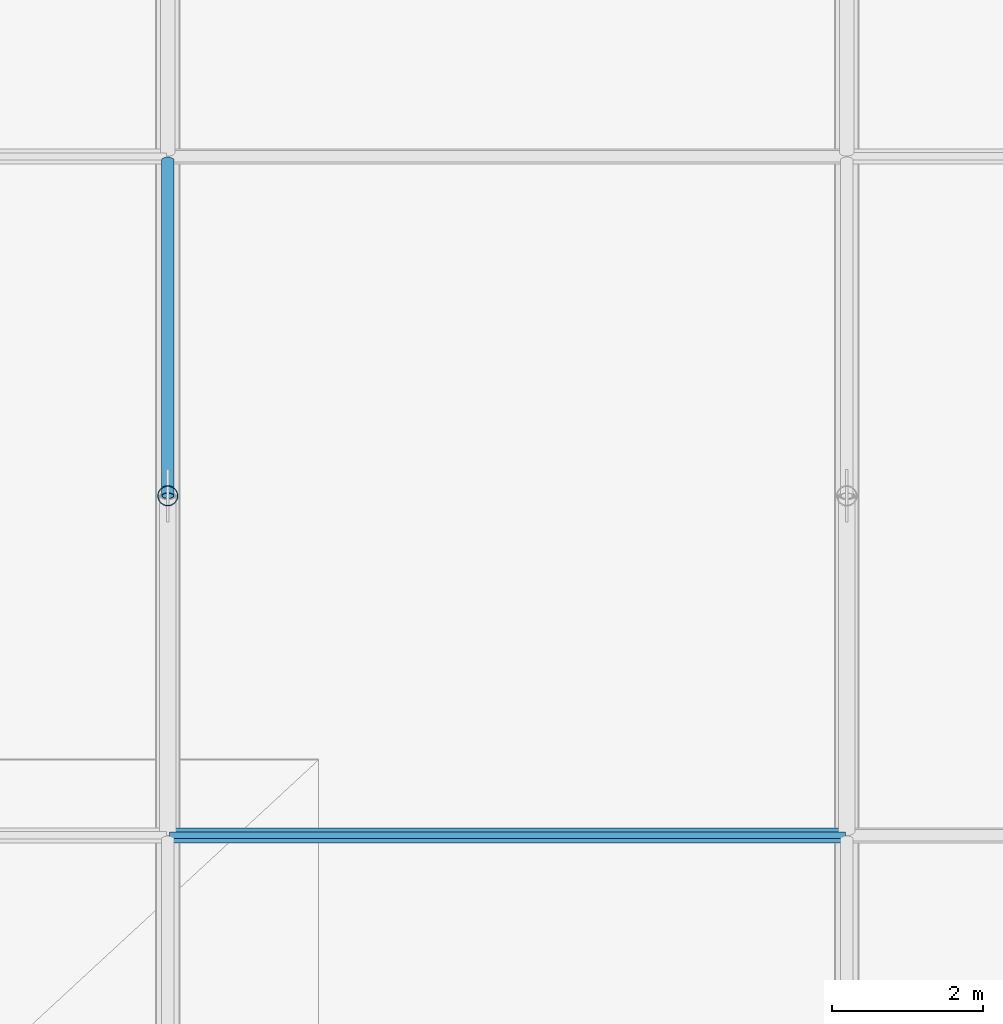
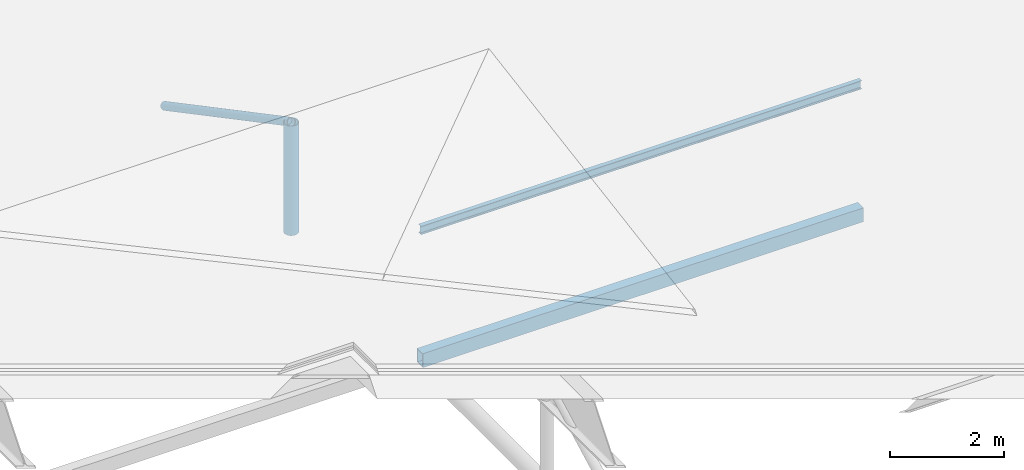
# One storey, part 50 of 196: 4 members.
"""IFC4 building model written with IfcOpenShell, lengths in metres."""

from ifc_helpers import new_model, si_unit, direction, frame, origin, origin_2d, place, context, subcontext, project, spatial, hollow_rectangle, hollow_circle, i_section, extrude, material, material_profile, profile_set, type_object, element, save


model = new_model("IFC4")

# Units and contexts
model_context = context("Model", 3, precision=1e-05, world=origin(), true_north=direction((0.0, 1.0)))
body_context = subcontext(model_context, "Body", "Model", "MODEL_VIEW")
ifc_project = project(units=[si_unit("LENGTHUNIT", "METRE"), si_unit("AREAUNIT", "SQUARE_METRE"), si_unit("VOLUMEUNIT", "CUBIC_METRE"), si_unit("PLANEANGLEUNIT", "RADIAN"), si_unit("MASSUNIT", "GRAM", prefix="KILO")], contexts=[model_context])

# Site, building, storey
site_placement = place(None, origin())
site = spatial("IfcSite", under=ifc_project, at=site_placement, CompositionType="ELEMENT")
building_placement = place(site_placement, origin())
building = spatial("IfcBuilding", under=site, at=building_placement, Name="Barlavento Convention Centre", CompositionType="ELEMENT")
storey_placement = place(building_placement, frame((0.0, 0.0, 18.0)))
storey = spatial("IfcBuildingStorey", under=building, at=storey_placement, Name="L03", CompositionType="ELEMENT", Elevation=18.0)

# Members
ifc_material = material(Name="Steel S355", Category="steel")
ifc_material_profile_1 = material_profile(ifc_material, hollow_rectangle(XDim=0.199951171875, YDim=0.300048828125, WallThickness=0.012451171875, at=origin_2d()), Name="RHS 300x200x12.5")
ifc_profile_set_1 = profile_set([ifc_material_profile_1], Name="Steel S355")
member_type_1 = type_object("IfcMemberType", Name="STR-MEM-COL-RHS300", PredefinedType="COLLAR", material=ifc_profile_set_1)
member_1_placement = place(storey_placement, frame((27.02001953125, 81.0, -3.199951171875), z_axis=(1.0, 0.0, 0.0), x_axis=(0.0, 1.0, 0.0)))
element("IfcMember", 1, at=member_1_placement, inside=storey, type_object=member_type_1, Name="Exhibition space frame transverse chord", PredefinedType="COLLAR", context=body_context, shape_type="SweptSolid", body=[
    extrude(hollow_rectangle(XDim=0.199951171875, YDim=0.300048828125, WallThickness=0.012451171875, at=origin_2d()), origin(), (0.0, 0.0, 1.0), 8.9599609375),
])
ifc_material_profile_2 = material_profile(ifc_material, hollow_circle(Radius=0.084228515625, WallThickness=0.010009765625, at=origin_2d()), Name="CHS 168.3x10.0")
ifc_profile_set_2 = profile_set([ifc_material_profile_2], Name="Steel S355")
member_type_2 = type_object("IfcMemberType", Name="STR-MEM-DIAG-CHS168", PredefinedType="POST", material=ifc_profile_set_2)
member_2_placement = place(storey_placement, frame((27.0, 85.5, -0.844970703125), z_axis=(0.0, 0.883859857229, -0.467751806816), x_axis=(-1.0, 0.0, 0.0)))
element("IfcMember", 2, at=member_2_placement, inside=storey, type_object=member_type_2, Name="Exhibition space frame web diagonal", PredefinedType="POST", context=body_context, shape_type="SweptSolid", body=[
    extrude(hollow_circle(Radius=0.084228515625, WallThickness=0.010009765625, at=origin_2d()), origin(), (0.0, 0.0, 1.0), 5.03466796875),
])
ifc_material_profile_3 = material_profile(ifc_material, i_section(OverallWidth=0.091064453125, OverallDepth=0.179931640625, WebThickness=0.00537109375, FlangeThickness=0.008056640625, FilletRadius=0.009033203125, at=origin_2d()), Name="IPE 180")
ifc_profile_set_3 = profile_set([ifc_material_profile_3], Name="Steel S355")
member_type_3 = type_object("IfcMemberType", Name="STR-MEM-PUR-IPE180", PredefinedType="PURLIN", material=ifc_profile_set_3)
member_3_placement = place(storey_placement, frame((27.02001953125, 81.0, -0.43505859375), z_axis=(1.0, 0.0, 0.0), x_axis=(0.0, 1.0, 0.0)))
element("IfcMember", 3, at=member_3_placement, inside=storey, type_object=member_type_3, Name="Exhibition roof purlin", PredefinedType="PURLIN", context=body_context, shape_type="SweptSolid", body=[
    extrude(i_section(OverallWidth=0.091064453125, OverallDepth=0.179931640625, WebThickness=0.00537109375, FlangeThickness=0.008056640625, FilletRadius=0.009033203125, at=origin_2d()), origin(), (0.0, 0.0, 1.0), 8.9599609375),
])
ifc_material_profile_4 = material_profile(ifc_material, hollow_circle(Radius=0.136474609375, WallThickness=0.012451171875, at=origin_2d()), Name="CHS 273.0x12.5")
ifc_profile_set_4 = profile_set([ifc_material_profile_4], Name="Steel S355")
member_type_4 = type_object("IfcMemberType", Name="STR-MEM-STRUT-CHS273", PredefinedType="STRUT", material=ifc_profile_set_4)
member_4_placement = place(storey_placement, frame((27.0, 85.5, -3.199951171875), z_axis=(0.0, 0.0, 1.0), x_axis=(1.0, 0.0, 0.0)))
element("IfcMember", 4, at=member_4_placement, inside=storey, type_object=member_type_4, Name="Exhibition space frame vertical strut", PredefinedType="STRUT", context=body_context, shape_type="SweptSolid", body=[
    extrude(hollow_circle(Radius=0.136474609375, WallThickness=0.012451171875, at=origin_2d()), origin(), (0.0, 0.0, 1.0), 2.35498046875),
])

save(model, "model.ifc")
